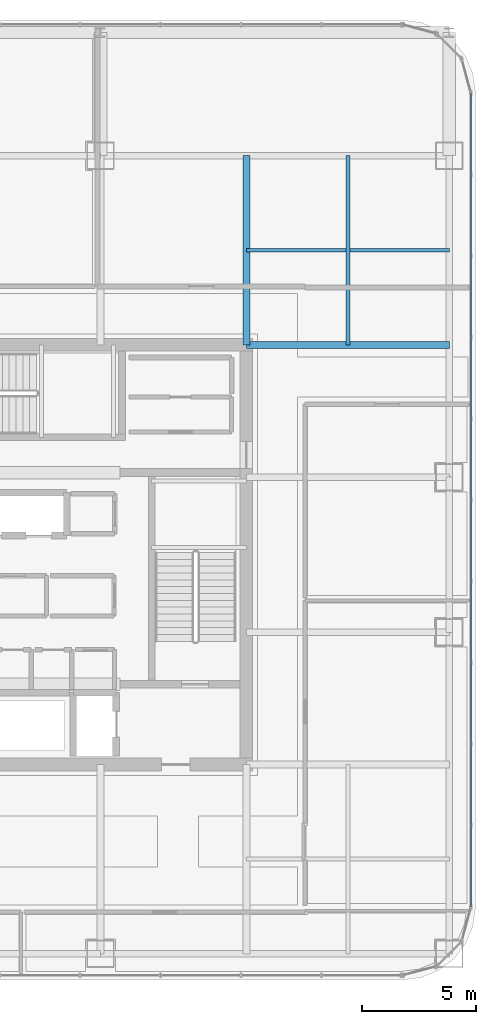
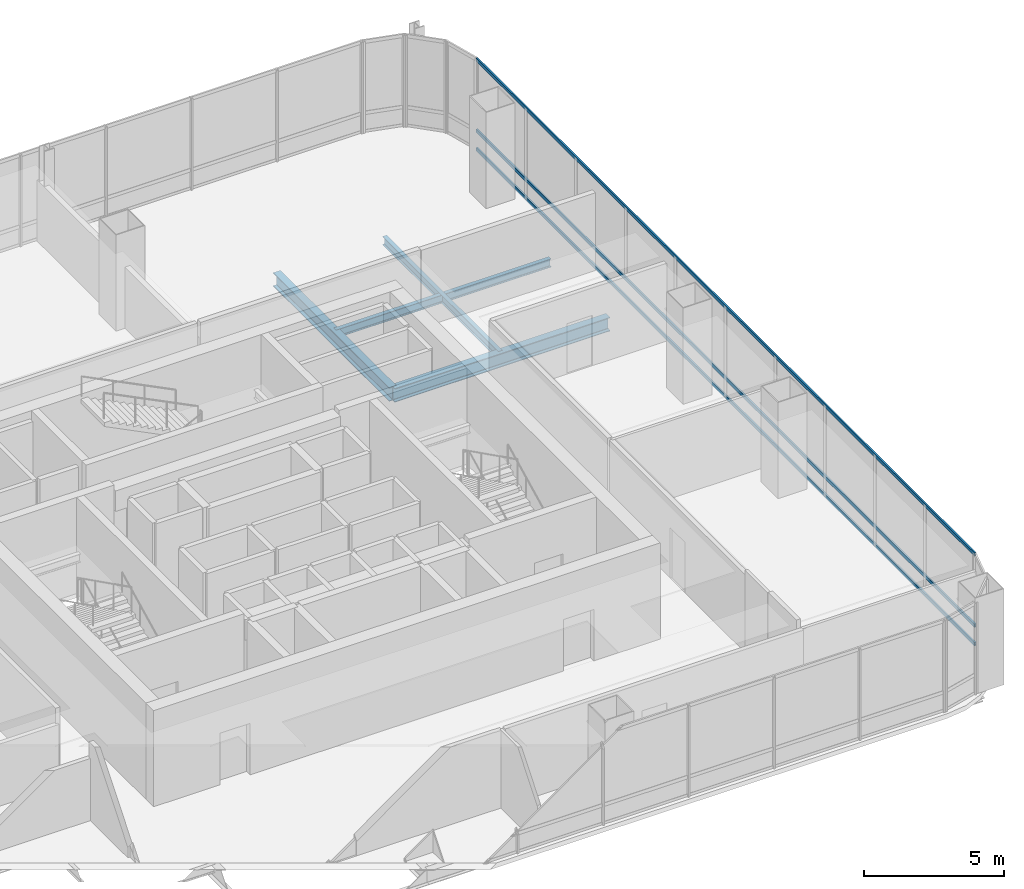
# One storey, part 19 of 41: 4 beams, 3 members, 1 element without a shape of its own.
"""IFC4 building model written with IfcOpenShell, lengths in metres."""

from ifc_helpers import new_model, si_unit, direction, frame, origin, origin_2d, place, context, subcontext, project, spatial, hollow_rectangle, i_section, extrude, material, material_profile, profile_set, type_object, element, aggregate, save


model = new_model("IFC4")

# Units and contexts
model_context = context("Model", 3, precision=1e-05, world=origin(), true_north=direction((0.0, 1.0)))
body_context = subcontext(model_context, "Body", "Model", "MODEL_VIEW")
ifc_project = project(units=[si_unit("LENGTHUNIT", "METRE"), si_unit("AREAUNIT", "SQUARE_METRE"), si_unit("VOLUMEUNIT", "CUBIC_METRE"), si_unit("PLANEANGLEUNIT", "RADIAN"), si_unit("MASSUNIT", "GRAM", prefix="KILO")], contexts=[model_context])

# Site, building, storey
site_placement = place(None, origin())
site = spatial("IfcSite", under=ifc_project, at=site_placement, CompositionType="ELEMENT")
building_placement = place(site_placement, origin())
building = spatial("IfcBuilding", under=site, at=building_placement, Name="Punatoya Terracotta Tower", CompositionType="ELEMENT")
storey_placement = place(building_placement, frame((0.0, 0.0, 288.0)))
storey = spatial("IfcBuildingStorey", under=building, at=storey_placement, Name="L68", CompositionType="ELEMENT", Elevation=288.0)

# Beams
ifc_material_1 = material(Name="Steel S355", Category="steel")
ifc_material_profile_1 = material_profile(ifc_material_1, i_section(OverallWidth=0.300048828125, OverallDepth=0.60009765625, WebThickness=0.015380859375, FlangeThickness=0.030029296875, FilletRadius=0.01806640625, at=origin_2d()))
ifc_profile_set_1 = profile_set([ifc_material_profile_1], Name="Steel S355")
beam_type_1 = type_object("IfcBeamType", Name="BM-PRI-600", PredefinedType="BEAM", material=ifc_profile_set_1)
beam_1_placement = place(storey_placement, frame((10.199951171875, 9.199951171875, -0.5), z_axis=(1.0, 0.0, 0.0), x_axis=(0.0, 1.0, 0.0)))
element("IfcBeam", 1, at=beam_1_placement, inside=storey, type_object=beam_type_1, Name="BM-L68-PR-EN", PredefinedType="BEAM", context=body_context, shape_type="SweptSolid", body=[
    extrude(i_section(OverallWidth=0.300048828125, OverallDepth=0.60009765625, WebThickness=0.015380859375, FlangeThickness=0.030029296875, FilletRadius=0.01806640625, at=origin_2d()), origin(), (0.0, 0.0, 1.0), 8.900146484375),
])
beam_2_placement = place(storey_placement, frame((10.199951171875, 9.199951171875, -0.5), z_axis=(0.0, 1.0, 0.0), x_axis=(-1.0, 0.0, 0.0)))
element("IfcBeam", 2, at=beam_2_placement, inside=storey, type_object=beam_type_1, Name="BM-L68-PR-N4", PredefinedType="BEAM", context=body_context, shape_type="SweptSolid", body=[
    extrude(i_section(OverallWidth=0.300048828125, OverallDepth=0.60009765625, WebThickness=0.015380859375, FlangeThickness=0.030029296875, FilletRadius=0.01806640625, at=origin_2d()), origin(), (0.0, 0.0, 1.0), 8.300048828125),
])
ifc_material_profile_2 = material_profile(ifc_material_1, i_section(OverallWidth=0.169921875, OverallDepth=0.360107421875, WebThickness=0.008056640625, FlangeThickness=0.0126953125, FilletRadius=0.01806640625, at=origin_2d()))
ifc_profile_set_2 = profile_set([ifc_material_profile_2], Name="Steel S355")
beam_type_2 = type_object("IfcBeamType", Name="BM-SEC-360", PredefinedType="JOIST", material=ifc_profile_set_2)
beam_3_placement = place(storey_placement, frame((10.199951171875, 13.35009765625, -0.3798828125), z_axis=(1.0, 0.0, 0.0), x_axis=(0.0, 1.0, 0.0)))
element("IfcBeam", 3, at=beam_3_placement, inside=storey, type_object=beam_type_2, Name="BM-L68-SJN-2", PredefinedType="JOIST", context=body_context, shape_type="SweptSolid", body=[
    extrude(i_section(OverallWidth=0.169921875, OverallDepth=0.360107421875, WebThickness=0.008056640625, FlangeThickness=0.0126953125, FilletRadius=0.01806640625, at=origin_2d()), origin(), (0.0, 0.0, 1.0), 8.900146484375),
])
beam_4_placement = place(storey_placement, frame((14.64990234375, 9.199951171875, -0.3798828125), z_axis=(0.0, 1.0, 0.0), x_axis=(-1.0, 0.0, 0.0)))
element("IfcBeam", 4, at=beam_4_placement, inside=storey, type_object=beam_type_2, Name="BM-L68-SJE-2", PredefinedType="JOIST", context=body_context, shape_type="SweptSolid", body=[
    extrude(i_section(OverallWidth=0.169921875, OverallDepth=0.360107421875, WebThickness=0.008056640625, FlangeThickness=0.0126953125, FilletRadius=0.01806640625, at=origin_2d()), origin(), (0.0, 0.0, 1.0), 8.300048828125),
])

# Curtain wall, members
ifc_material_2 = material(Name="Aluminium 6063-T6 + Double Low-E Glass", Category="aluminium")
curtain_wall_type = type_object("IfcCurtainWallType", Name="CW-M3", PredefinedType="NOTDEFINED", material=ifc_material_2)
curtain_wall_placement = place(storey_placement, origin())
curtain_wall = element("IfcCurtainWall", 5, at=curtain_wall_placement, inside=storey, type_object=curtain_wall_type, Name="L68 Curtain Wall CW-L68-E05-1", PredefinedType="NOTDEFINED")
ifc_material_3 = material(Name="Aluminium 6063-T6", Category="aluminium")
ifc_material_profile_3 = material_profile(ifc_material_3, hollow_rectangle(XDim=0.068115234375, YDim=0.14990234375, WallThickness=0.00390625, at=origin_2d()))
ifc_profile_set_3 = profile_set([ifc_material_profile_3], Name="Aluminium 6063-T6")
member_type = type_object("IfcMemberType", Name="CW-TRN-TYP", PredefinedType="USERDEFINED", material=ifc_profile_set_3)
member_1_placement = place(storey_placement, frame((20.050048828125, -15.43701171875, 0.0400390625), z_axis=(0.0, 1.0, 0.0), x_axis=(-1.0, 0.0, 0.0)))
member_1 = element("IfcMember", 6, at=member_1_placement, type_object=member_type, Name="CW-L68-E05-1 Transom 1", ObjectType="TRANSOM", PredefinedType="USERDEFINED", context=body_context, shape_type="SweptSolid", body=[
    extrude(hollow_rectangle(XDim=0.068115234375, YDim=0.14990234375, WallThickness=0.00390625, at=origin_2d()), origin(), (0.0, 0.0, 1.0), 35.673828125),
])
member_2_placement = place(storey_placement, frame((20.050048828125, -15.43701171875, 0.85009765625), z_axis=(0.0, 1.0, 0.0), x_axis=(-1.0, 0.0, 0.0)))
member_2 = element("IfcMember", 7, at=member_2_placement, type_object=member_type, Name="CW-L68-E05-1 Transom 2", ObjectType="TRANSOM", PredefinedType="USERDEFINED", context=body_context, shape_type="SweptSolid", body=[
    extrude(hollow_rectangle(XDim=0.068115234375, YDim=0.14990234375, WallThickness=0.00390625, at=origin_2d()), origin(), (0.0, 0.0, 1.0), 35.673828125),
])
member_3_placement = place(storey_placement, frame((20.050048828125, -15.43701171875, 3.9599609375), z_axis=(0.0, 1.0, 0.0), x_axis=(-1.0, 0.0, 0.0)))
member_3 = element("IfcMember", 8, at=member_3_placement, type_object=member_type, Name="CW-L68-E05-1 Transom 3", ObjectType="TRANSOM", PredefinedType="USERDEFINED", context=body_context, shape_type="SweptSolid", body=[
    extrude(hollow_rectangle(XDim=0.068115234375, YDim=0.14990234375, WallThickness=0.00390625, at=origin_2d()), origin(), (0.0, 0.0, 1.0), 35.673828125),
])
aggregate(curtain_wall, [member_1, member_2, member_3])

save(model, "model.ifc")
